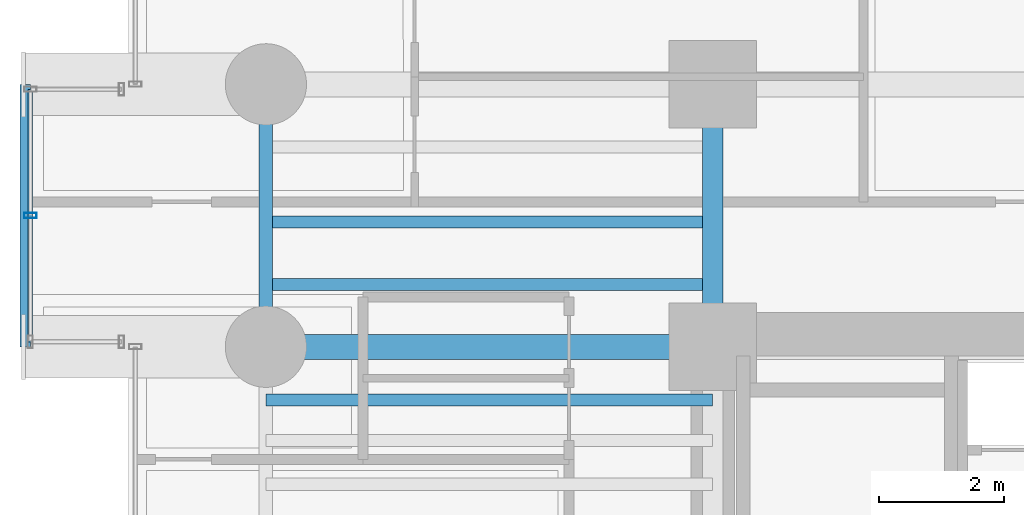
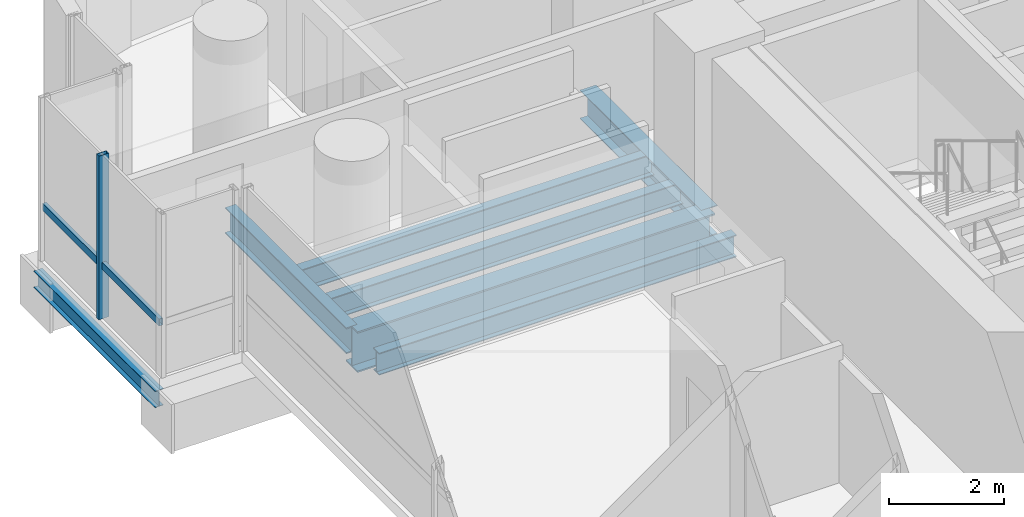
# One storey, part 11 of 42: 7 beams, 2 members, 1 element without a shape of its own.
"""IFC4 building model written with IfcOpenShell, lengths in metres."""

from ifc_helpers import new_model, si_unit, direction, frame, origin, origin_2d, place, context, subcontext, project, spatial, hollow_rectangle, i_section, extrude, source, transform, mapped, material, material_profile, profile_set, type_object, element, aggregate, save


model = new_model("IFC4")

# Units and contexts
model_context = context("Model", 3, precision=1e-05, world=origin(), true_north=direction((0.0, 1.0)))
body_context = subcontext(model_context, "Body", "Model", "MODEL_VIEW")
ifc_project = project(units=[si_unit("LENGTHUNIT", "METRE"), si_unit("AREAUNIT", "SQUARE_METRE"), si_unit("VOLUMEUNIT", "CUBIC_METRE"), si_unit("PLANEANGLEUNIT", "RADIAN"), si_unit("MASSUNIT", "GRAM", prefix="KILO")], contexts=[model_context])

# Site, building, storey
site_placement = place(None, origin())
site = spatial("IfcSite", under=ifc_project, at=site_placement, CompositionType="ELEMENT")
building_placement = place(site_placement, origin())
building = spatial("IfcBuilding", under=site, at=building_placement, Name="Valdorenza Pilgrim Sanctuary Tower", CompositionType="ELEMENT")
storey_placement = place(building_placement, frame((0.0, 0.0, 55.60009765625)))
storey = spatial("IfcBuildingStorey", under=building, at=storey_placement, Name="L13", CompositionType="ELEMENT", Elevation=55.60009765625)

# Beams
ifc_material_1 = material(Name="Steel ASTM A992 Grade 50", Category="steel")
ifc_material_profile_1 = material_profile(ifc_material_1, i_section(OverallWidth=0.214111328125, OverallDepth=0.549072265625, WebThickness=0.0146484375, FlangeThickness=0.023681640625, at=origin_2d()), Name="W21X93")
ifc_profile_set_1 = profile_set([ifc_material_profile_1], Name="Steel ASTM A992 Grade 50")
beam_type_1 = type_object("IfcBeamType", Name="STR-BM-SPN-W21A", PredefinedType="SPANDREL", material=ifc_profile_set_1)
shared_shape_1 = source(origin(), body_context, "Body", "SweptSolid", [
    extrude(i_section(OverallWidth=0.214111328125, OverallDepth=0.549072265625, WebThickness=0.0146484375, FlangeThickness=0.023681640625, at=origin_2d()), origin(), (0.0, 0.0, 1.0), 4.199951171875),
])
beam_1_placement = place(storey_placement, frame((-29.800048828125, 10.60009765625, -0.5146484375), z_axis=(0.0, 1.0, 0.0), x_axis=(-1.0, 0.0, 0.0)))
element("IfcBeam", 1, at=beam_1_placement, inside=storey, type_object=beam_type_1, Name="L13 Spandrel Beam WA-W-N1N2", PredefinedType="SPANDREL", context=body_context, shape_type="MappedRepresentation", body=[
    mapped(shared_shape_1, transform((0.0, 0.0, 0.0), x_axis=(1.0, 0.0, 0.0), y_axis=(0.0, 1.0, 0.0), z_axis=(0.0, 0.0, 1.0), scale=1.0)),
])
ifc_material_profile_2 = material_profile(ifc_material_1, i_section(OverallWidth=0.323974609375, OverallDepth=0.611083984375, WebThickness=0.0126953125, FlangeThickness=0.01904296875, at=origin_2d()), Name="W24X104")
ifc_profile_set_2 = profile_set([ifc_material_profile_2], Name="Steel ASTM A992 Grade 50")
beam_type_2 = type_object("IfcBeamType", Name="STR-BM-GRD-W24B", PredefinedType="BEAM", material=ifc_profile_set_2)
shared_shape_2 = source(origin(), body_context, "Body", "SweptSolid", [
    extrude(i_section(OverallWidth=0.323974609375, OverallDepth=0.611083984375, WebThickness=0.0126953125, FlangeThickness=0.01904296875, at=origin_2d()), origin(), (0.0, 0.0, 1.0), 4.199951171875),
])
beam_2_placement = place(storey_placement, frame((-22.64990234375, 10.60009765625, -0.545654296875), z_axis=(0.0, 1.0, 0.0), x_axis=(-1.0, 0.0, 0.0)))
element("IfcBeam", 2, at=beam_2_placement, inside=storey, type_object=beam_type_2, Name="L13 Core Tie Girder CA-W-N1N2", PredefinedType="BEAM", context=body_context, shape_type="MappedRepresentation", body=[
    mapped(shared_shape_2, transform((0.0, 0.0, 0.0), x_axis=(1.0, 0.0, 0.0), y_axis=(0.0, 1.0, 0.0), z_axis=(0.0, 0.0, 1.0), scale=1.0)),
])
ifc_material_profile_3 = material_profile(ifc_material_1, i_section(OverallWidth=0.193115234375, OverallDepth=0.466064453125, WebThickness=0.011474609375, FlangeThickness=0.01904296875, at=origin_2d()), Name="W18X65")
ifc_profile_set_3 = profile_set([ifc_material_profile_3], Name="Steel ASTM A992 Grade 50")
beam_type_3 = type_object("IfcBeamType", Name="STR-BM-JST-W18A", PredefinedType="JOIST", material=ifc_profile_set_3)
shared_shape_3 = source(origin(), body_context, "Body", "SweptSolid", [
    extrude(i_section(OverallWidth=0.193115234375, OverallDepth=0.466064453125, WebThickness=0.011474609375, FlangeThickness=0.01904296875, at=origin_2d()), origin(), (0.0, 0.0, 1.0), 7.150146484375),
])
for number, where, z_axis, x_axis, name in (
    (3, (-29.800048828125, 9.75, -0.47314453125), (1.0, 0.0, 0.0), (0.0, 1.0, 0.0), "L13 Composite Floor Joist JST-WA-23"),
    (4, (-29.800048828125, 11.60009765625, -0.47314453125), (1.0, 0.0, 0.0), (0.0, 1.0, 0.0), "L13 Composite Floor Joist JST-WA-24"),
    (5, (-29.800048828125, 12.60009765625, -0.47314453125), (1.0, 0.0, 0.0), (0.0, 1.0, 0.0), "L13 Composite Floor Joist JST-WA-25"),
):
    element("IfcBeam", number, at=place(storey_placement, frame(where, z_axis=z_axis, x_axis=x_axis)), inside=storey, type_object=beam_type_3, Name=name, PredefinedType="JOIST", context=body_context, shape_type="MappedRepresentation", body=[
        mapped(shared_shape_3, transform((0.0, 0.0, 0.0), x_axis=(1.0, 0.0, 0.0), y_axis=(0.0, 1.0, 0.0), z_axis=(0.0, 0.0, 1.0), scale=1.0)),
    ])
ifc_material_profile_4 = material_profile(ifc_material_1, i_section(OverallWidth=0.39990234375, OverallDepth=0.862060546875, WebThickness=0.019775390625, FlangeThickness=0.032470703125, at=origin_2d()), Name="W33X221")
ifc_profile_set_4 = profile_set([ifc_material_profile_4], Name="Steel ASTM A992 Grade 50")
beam_type_4 = type_object("IfcBeamType", Name="STR-BM-GRD-W33", PredefinedType="BEAM", material=ifc_profile_set_4)
shared_shape_4 = source(origin(), body_context, "Body", "SweptSolid", [
    extrude(i_section(OverallWidth=0.39990234375, OverallDepth=0.862060546875, WebThickness=0.019775390625, FlangeThickness=0.032470703125, at=origin_2d()), origin(), (0.0, 0.0, 1.0), 7.150146484375),
])
beam_3_placement = place(storey_placement, frame((-29.800048828125, 10.60009765625, -0.671142578125), z_axis=(1.0, 0.0, 0.0), x_axis=(0.0, 1.0, 0.0)))
element("IfcBeam", 6, at=beam_3_placement, inside=storey, type_object=beam_type_4, Name="L13 Floor Girder WA-XW-N1", PredefinedType="BEAM", context=body_context, shape_type="MappedRepresentation", body=[
    mapped(shared_shape_4, transform((0.0, 0.0, 0.0), x_axis=(1.0, 0.0, 0.0), y_axis=(0.0, 1.0, 0.0), z_axis=(0.0, 0.0, 1.0), scale=1.0)),
])
ifc_material_profile_5 = material_profile(ifc_material_1, i_section(OverallWidth=0.1708984375, OverallDepth=0.35107421875, WebThickness=0.0068359375, FlangeThickness=0.009765625, at=origin_2d()), Name="W14X30")
ifc_profile_set_5 = profile_set([ifc_material_profile_5], Name="Steel ASTM A992 Grade 50")
beam_type_5 = type_object("IfcBeamType", Name="STR-BM-BOX-W14", PredefinedType="BEAM", material=ifc_profile_set_5)
shared_shape_5 = source(origin(), body_context, "Body", "SweptSolid", [
    extrude(i_section(OverallWidth=0.1708984375, OverallDepth=0.35107421875, WebThickness=0.0068359375, FlangeThickness=0.009765625, at=origin_2d()), origin(), (0.0, 0.0, 1.0), 4.199951171875),
])
beam_4_placement = place(storey_placement, frame((-33.64990234375, 10.60009765625, -0.41552734375), z_axis=(0.0, 1.0, 0.0), x_axis=(-1.0, 0.0, 0.0)))
element("IfcBeam", 7, at=beam_4_placement, inside=storey, type_object=beam_type_5, Name="L13 Glass Box Edge Beam BOX-WA-L13-F", PredefinedType="BEAM", context=body_context, shape_type="MappedRepresentation", body=[
    mapped(shared_shape_5, transform((0.0, 0.0, 0.0), x_axis=(1.0, 0.0, 0.0), y_axis=(0.0, 1.0, 0.0), z_axis=(0.0, 0.0, 1.0), scale=1.0)),
])

# Curtain wall, members
ifc_material_2 = material(Name="Curtain-wall IGU glazing", Category="glass")
curtain_wall_type = type_object("IfcCurtainWallType", Name="CW-SYS-02", PredefinedType="NOTDEFINED", material=ifc_material_2)
curtain_wall_placement = place(storey_placement, origin())
curtain_wall = element("IfcCurtainWall", 8, at=curtain_wall_placement, inside=storey, type_object=curtain_wall_type, Name="L13 Curtain Wall CW-L13-BOX-WA-L13-F", PredefinedType="NOTDEFINED")
ifc_material_3 = material(Name="Anodised aluminium AW-6060", Category="aluminium")
ifc_material_profile_6 = material_profile(ifc_material_3, hollow_rectangle(XDim=0.0849609375, YDim=0.199951171875, WallThickness=0.0048828125, at=origin_2d()), Name="ALU-M 200x85x5")
ifc_profile_set_6 = profile_set([ifc_material_profile_6], Name="Anodised aluminium AW-6060")
member_type_1 = type_object("IfcMemberType", Name="CW-MUL-02", PredefinedType="MULLION", material=ifc_profile_set_6)
shared_shape_6 = source(origin(), body_context, "Body", "SweptSolid", [
    extrude(hollow_rectangle(XDim=0.0849609375, YDim=0.199951171875, WallThickness=0.0048828125, at=origin_2d()), origin(), (0.0, 0.0, 1.0), 3.4599609375),
])
member_1_placement = place(storey_placement, frame((-33.570068359375, 12.699951171875, 0.0), z_axis=(0.0, 0.0, 1.0), x_axis=(0.0, 1.0, 0.0)))
member_1 = element("IfcMember", 9, at=member_1_placement, type_object=member_type_1, Name="CW-L13-BOX-WA-L13-F Mullion 2", PredefinedType="MULLION", context=body_context, shape_type="MappedRepresentation", body=[
    mapped(shared_shape_6, transform((0.0, 0.0, 0.0), x_axis=(1.0, 0.0, 0.0), y_axis=(0.0, 1.0, 0.0), z_axis=(0.0, 0.0, 1.0), scale=1.0)),
])
ifc_material_profile_7 = material_profile(ifc_material_3, hollow_rectangle(XDim=0.074951171875, YDim=0.14990234375, WallThickness=0.00390625, at=origin_2d()), Name="ALU-T 150x75x4")
ifc_profile_set_7 = profile_set([ifc_material_profile_7], Name="Anodised aluminium AW-6060")
member_type_2 = type_object("IfcMemberType", Name="CW-TRN-02", PredefinedType="USERDEFINED", material=ifc_profile_set_7)
shared_shape_7 = source(origin(), body_context, "Body", "SweptSolid", [
    extrude(hollow_rectangle(XDim=0.074951171875, YDim=0.14990234375, WallThickness=0.00390625, at=origin_2d()), origin(), (0.0, 0.0, 1.0), 4.0400390625),
])
member_2_placement = place(storey_placement, frame((-33.570068359375, 10.679931640625, 1.119873046875), z_axis=(0.0, 1.0, 0.0), x_axis=(-1.0, 0.0, 0.0)))
member_2 = element("IfcMember", 10, at=member_2_placement, type_object=member_type_2, Name="CW-L13-BOX-WA-L13-F Transom 1", ObjectType="TRANSOM", PredefinedType="USERDEFINED", context=body_context, shape_type="MappedRepresentation", body=[
    mapped(shared_shape_7, transform((0.0, 0.0, 0.0), x_axis=(1.0, 0.0, 0.0), y_axis=(0.0, 1.0, 0.0), z_axis=(0.0, 0.0, 1.0), scale=1.0)),
])
aggregate(curtain_wall, [member_1, member_2])

save(model, "model.ifc")
